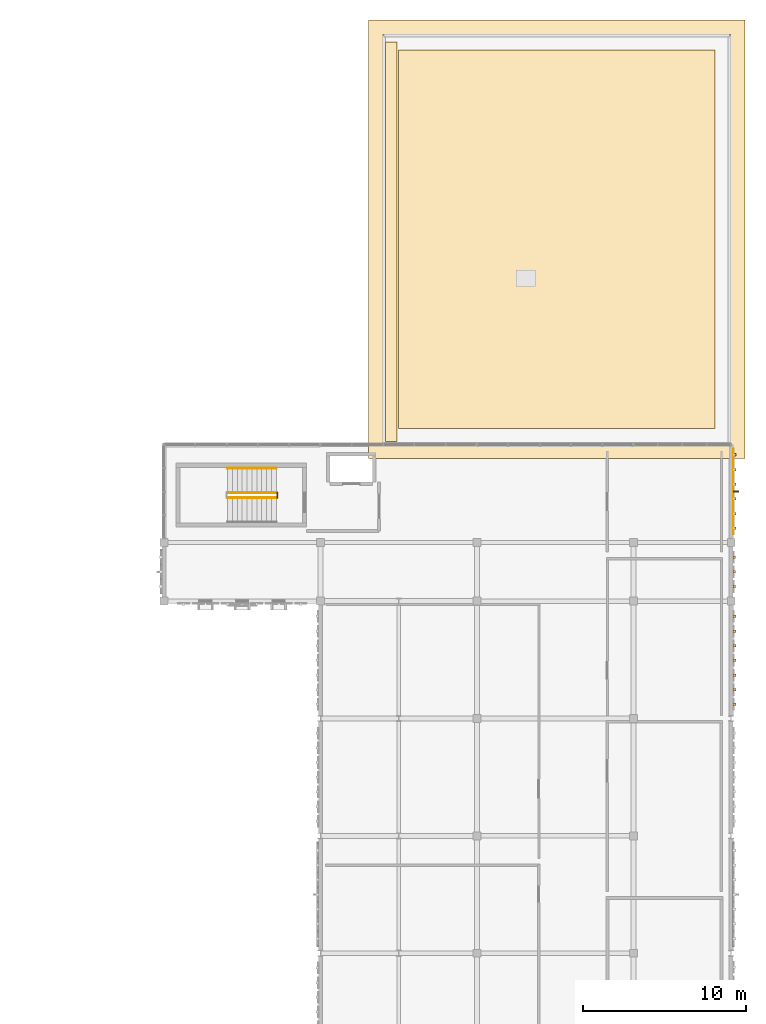
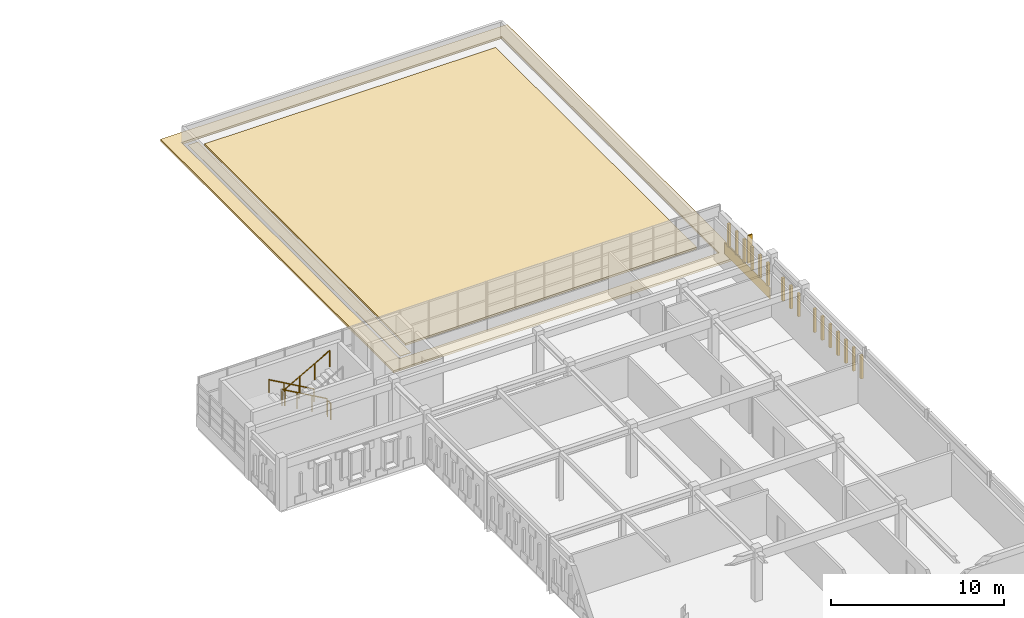
# One storey, part 48 of 53: 20 coverings, 4 railings, 1 shading device.
"""IFC4 building model written with IfcOpenShell, lengths in metres."""

from ifc_helpers import new_model, si_unit, direction, frame, origin, origin_2d, place, context, subcontext, project, spatial, polyline, rectangle, circle, outline, extrude, material, layer, layer_set, type_object, element, save


model = new_model("IFC4")

# Units and contexts
model_context = context("Model", 3, precision=1e-05, world=origin(), true_north=direction((0.0, 1.0)))
body_context = subcontext(model_context, "Body", "Model", "MODEL_VIEW")
ifc_project = project(units=[si_unit("LENGTHUNIT", "METRE"), si_unit("AREAUNIT", "SQUARE_METRE"), si_unit("VOLUMEUNIT", "CUBIC_METRE"), si_unit("PLANEANGLEUNIT", "RADIAN"), si_unit("MASSUNIT", "GRAM", prefix="KILO")], contexts=[model_context])

# Site, building, storey
site_placement = place(None, origin())
site = spatial("IfcSite", under=ifc_project, at=site_placement, CompositionType="ELEMENT")
building_placement = place(site_placement, origin())
building = spatial("IfcBuilding", under=site, at=building_placement, Name="Nzembalo Square Collegiate School", CompositionType="ELEMENT")
storey_placement = place(building_placement, frame((0.0, 0.0, 13.60009765625)))
storey = spatial("IfcBuildingStorey", under=building, at=storey_placement, Name="L03", CompositionType="ELEMENT", Elevation=13.60009765625)

# Coverings
ifc_material_1 = material(Name="Glazed cobalt ceramic patterned tile")
ifc_layer_1 = layer(ifc_material_1, 0.074951171875, Name="Glazed cobalt ceramic patterned tile")
ifc_layer_set_1 = layer_set([ifc_layer_1], Name="Glazed cobalt ceramic patterned tile")
covering_type_1 = type_object("IfcCoveringType", Name="CL01", PredefinedType="CLADDING", material=ifc_layer_set_1)
covering_1_placement = place(storey_placement, frame((165.74755859375, 85.9208984375, 0.02001953125), z_axis=(0.0, 0.0, 1.0), x_axis=(1.0, 0.0, 0.0)))
element("IfcCovering", 1, at=covering_1_placement, inside=storey, type_object=covering_type_1, Name="Faience spandrel cladding CL01-0216", PredefinedType="CLADDING", context=body_context, shape_type="SweptSolid", body=[
    extrude(rectangle(XDim=0.034912109375, YDim=5.258056640625, at=origin_2d()), origin(), (0.0, 0.0, 1.0), 0.800048828125),
])
ifc_material_2 = material(Name="Glazed ochre ceramic lancet rib")
ifc_layer_2 = layer(ifc_material_2, 0.159912109375, Name="Glazed ochre ceramic lancet rib")
ifc_layer_set_2 = layer_set([ifc_layer_2], Name="Glazed ochre ceramic lancet rib")
covering_type_2 = type_object("IfcCoveringType", Name="CL02", PredefinedType="CLADDING", material=ifc_layer_set_2)
for number, where, z_axis, x_axis, name in (
    (2, (165.802490234375, 72.864990234375, 0.760009765625), (0.0, 0.0, 1.0), (1.0, 0.0, 0.0), "Gothic ceramic rib CL02-Y0214-0"),
    (3, (165.802490234375, 73.764892578125, 0.760009765625), (0.0, 0.0, 1.0), (1.0, 0.0, 0.0), "Gothic ceramic rib CL02-Y0214-1"),
    (4, (165.802490234375, 74.6650390625, 0.760009765625), (0.0, 0.0, 1.0), (1.0, 0.0, 0.0), "Gothic ceramic rib CL02-Y0214-2"),
    (5, (165.802490234375, 75.56494140625, 0.760009765625), (0.0, 0.0, 1.0), (1.0, 0.0, 0.0), "Gothic ceramic rib CL02-Y0214-3"),
    (6, (165.802490234375, 76.465087890625, 0.760009765625), (0.0, 0.0, 1.0), (1.0, 0.0, 0.0), "Gothic ceramic rib CL02-Y0214-4"),
    (7, (165.802490234375, 77.364990234375, 0.760009765625), (0.0, 0.0, 1.0), (1.0, 0.0, 0.0), "Gothic ceramic rib CL02-Y0214-5"),
    (8, (165.802490234375, 78.264892578125, 0.760009765625), (0.0, 0.0, 1.0), (1.0, 0.0, 0.0), "Gothic ceramic rib CL02-Y0214-6"),
):
    element("IfcCovering", number, at=place(storey_placement, frame(where, z_axis=z_axis, x_axis=x_axis)), inside=storey, type_object=covering_type_2, Name=name, PredefinedType="CLADDING", context=body_context, shape_type="SweptSolid", body=[
        extrude(rectangle(XDim=0.159912109375, YDim=0.159912109375, at=origin_2d()), origin(), (0.0, 0.0, 1.0), 1.64892578125),
    ])
for number, where, z_axis, x_axis, name in (
    (9, (165.79248046875, 80.10009765625, 0.759765625), (0.0, 0.0, 1.0), (1.0, 0.0, 0.0), "Gothic ceramic rib CL02-Y0215-0"),
    (10, (165.79248046875, 81.0, 0.759765625), (0.0, 0.0, 1.0), (1.0, 0.0, 0.0), "Gothic ceramic rib CL02-Y0215-1"),
    (11, (165.79248046875, 81.89990234375, 0.759765625), (0.0, 0.0, 1.0), (1.0, 0.0, 0.0), "Gothic ceramic rib CL02-Y0215-2"),
    (12, (165.802490234375, 83.6708984375, 0.759765625), (0.0, 0.0, 1.0), (1.0, 0.0, 0.0), "Gothic ceramic rib CL02-Y0216-0"),
    (13, (165.802490234375, 84.571044921875, 0.759765625), (0.0, 0.0, 1.0), (1.0, 0.0, 0.0), "Gothic ceramic rib CL02-Y0216-1"),
    (14, (165.802490234375, 85.470947265625, 0.759765625), (0.0, 0.0, 1.0), (1.0, 0.0, 0.0), "Gothic ceramic rib CL02-Y0216-2"),
    (15, (165.802490234375, 86.37109375, 0.759765625), (0.0, 0.0, 1.0), (1.0, 0.0, 0.0), "Gothic ceramic rib CL02-Y0216-3"),
    (16, (165.802490234375, 87.27099609375, 0.759765625), (0.0, 0.0, 1.0), (1.0, 0.0, 0.0), "Gothic ceramic rib CL02-Y0216-4"),
    (17, (165.802490234375, 88.1708984375, 0.759765625), (0.0, 0.0, 1.0), (1.0, 0.0, 0.0), "Gothic ceramic rib CL02-Y0216-5"),
):
    element("IfcCovering", number, at=place(storey_placement, frame(where, z_axis=z_axis, x_axis=x_axis)), inside=storey, type_object=covering_type_2, Name=name, PredefinedType="CLADDING", context=body_context, shape_type="SweptSolid", body=[
        extrude(rectangle(XDim=0.159912109375, YDim=0.159912109375, at=origin_2d()), origin(), (0.0, 0.0, 1.0), 1.618896484375),
    ])
ifc_material_3 = material(Name="Glulam GL28h overhanging eaves cornice", Category="wood")
ifc_layer_3 = layer(ifc_material_3, 0.159912109375, Name="Glulam GL28h overhanging eaves cornice")
ifc_layer_set_3 = layer_set([ifc_layer_3], Name="Glulam GL28h overhanging eaves cornice")
covering_type_3 = type_object("IfcCoveringType", Name="EV01", PredefinedType="ROOFING", material=ifc_layer_set_3)
covering_2_placement = place(storey_placement, frame((0.0, 0.0, -0.16015625)))
element("IfcCovering", 18, at=covering_2_placement, inside=storey, type_object=covering_type_3, Name="Projecting tropical roof eaves cornice EV01-03", PredefinedType="ROOFING", context=body_context, shape_type="SweptSolid", body=[
    extrude(outline(polyline([(143.35009765625, 87.949951171875), (166.449951171875, 87.949951171875), (166.449951171875, 114.85009765625), (143.35009765625, 114.85009765625), (143.35009765625, 87.949951171875)]), holes=[polyline([(144.25, 88.85009765625), (165.550048828125, 88.85009765625), (165.550048828125, 113.949951171875), (144.25, 113.949951171875), (144.25, 88.85009765625)])]), origin(), (0.0, 0.0, 1.0), 0.150146484375),
])
ifc_material_4 = material(Name="Planted extensive green roof substrate")
ifc_layer_4 = layer(ifc_material_4, 0.139892578125, Name="Planted extensive green roof substrate")
ifc_layer_set_4 = layer_set([ifc_layer_4], Name="Planted extensive green roof substrate")
covering_type_4 = type_object("IfcCoveringType", Name="GR01", PredefinedType="ROOFING", material=ifc_layer_set_4)
covering_3_placement = place(storey_placement, origin())
element("IfcCovering", 19, at=covering_3_placement, inside=storey, type_object=covering_type_4, Name="Planted green roof bed GR01-05", PredefinedType="ROOFING", context=body_context, shape_type="SweptSolid", body=[
    extrude(outline(polyline([(145.199951171875, 89.800048828125), (164.60009765625, 89.800048828125), (164.60009765625, 113.0), (145.199951171875, 113.0), (145.199951171875, 89.800048828125)])), origin(), (0.0, 0.0, 1.0), 0.139892578125),
])
ifc_material_5 = material(Name="Reflective TPO weatherproofing membrane")
ifc_layer_5 = layer(ifc_material_5, 0.02490234375, Name="Reflective TPO weatherproofing membrane")
ifc_layer_set_5 = layer_set([ifc_layer_5], Name="Reflective TPO weatherproofing membrane")
covering_type_5 = type_object("IfcCoveringType", Name="RF01", PredefinedType="ROOFING", material=ifc_layer_set_5)
covering_4_placement = place(storey_placement, origin())
element("IfcCovering", 20, at=covering_4_placement, inside=storey, type_object=covering_type_5, Name="Roof waterproofing membrane RF01-04", PredefinedType="ROOFING", context=body_context, shape_type="SweptSolid", body=[
    extrude(outline(polyline([(144.39990234375, 89.0), (145.10009765625, 89.0), (145.10009765625, 113.5), (144.39990234375, 113.5), (144.39990234375, 89.0)])), origin(), (0.0, 0.0, 1.0), 0.02490234375),
])

# Railings
ifc_material_6 = material(Name="Steel S355", Category="steel")
railing_type_1 = type_object("IfcRailingType", Name="GR01", PredefinedType="GUARDRAIL", material=ifc_material_6)
railing_1_placement = place(storey_placement, frame((137.699951171875, 85.85009765625, 0.159912109375)))
element("IfcRailing", 21, at=railing_1_placement, inside=storey, type_object=railing_type_1, Name="Stair guard GR-16-1", PredefinedType="GUARDRAIL", context=body_context, shape_type="SweptSolid", body=[
    extrude(circle(Radius=0.02392578125, at=origin_2d()), frame((0.0, 0.0, 1.1259765625), z_axis=(-0.870028259722, 0.0, 0.493001853226), x_axis=(0.0, -1.0, 0.0)), (0.0, 0.0, 1.0), 3.4482421875),
    extrude(circle(Radius=0.02099609375, at=origin_2d()), origin(), (0.0, 0.0, 1.0), 1.101806640625),
    extrude(circle(Radius=0.02099609375, at=origin_2d()), frame((-1.0, 0.0, 0.566650390625)), (0.0, 0.0, 1.0), 1.101806640625),
    extrude(circle(Radius=0.02099609375, at=origin_2d()), frame((-2.0, 0.0, 1.13330078125)), (0.0, 0.0, 1.0), 1.101806640625),
    extrude(circle(Radius=0.02099609375, at=origin_2d()), frame((-3.0, 0.0, 1.699951171875)), (0.0, 0.0, 1.0), 1.101806640625),
])
railing_2_placement = place(storey_placement, frame((134.699951171875, 85.550048828125, 2.02978515625)))
element("IfcRailing", 22, at=railing_2_placement, inside=storey, type_object=railing_type_1, Name="Stair guard GR-16-3", PredefinedType="GUARDRAIL", context=body_context, shape_type="SweptSolid", body=[
    extrude(circle(Radius=0.02392578125, at=origin_2d()), frame((0.0, 0.0, 1.1259765625), z_axis=(0.869997889882, 0.0, 0.493055444754), x_axis=(0.0, 1.0, 0.0)), (0.0, 0.0, 1.0), 3.4482421875),
    extrude(circle(Radius=0.02099609375, at=origin_2d()), origin(), (0.0, 0.0, 1.0), 1.101806640625),
    extrude(circle(Radius=0.02099609375, at=origin_2d()), frame((1.0, 0.0, 0.566650390625)), (0.0, 0.0, 1.0), 1.101806640625),
    extrude(circle(Radius=0.02099609375, at=origin_2d()), frame((2.0, 0.0, 1.133544921875)), (0.0, 0.0, 1.0), 1.101806640625),
    extrude(circle(Radius=0.02099609375, at=origin_2d()), frame((3.0, 0.0, 1.7001953125)), (0.0, 0.0, 1.0), 1.101806640625),
])
railing_3_placement = place(storey_placement, frame((137.75, 85.52001953125, -0.005126953125)))
element("IfcRailing", 23, at=railing_3_placement, inside=storey, type_object=railing_type_1, Name="Stair guard GR-16-4", PredefinedType="GUARDRAIL", context=body_context, shape_type="SweptSolid", body=[
    extrude(circle(Radius=0.02392578125, at=origin_2d()), frame((0.0, 0.0, 1.1259765625), z_axis=(0.0, 1.0, 0.0), x_axis=(-1.0, 0.0, 0.0)), (0.0, 0.0, 1.0), 0.35986328125),
    extrude(circle(Radius=0.02099609375, at=origin_2d()), origin(), (0.0, 0.0, 1.0), 1.101806640625),
    extrude(circle(Radius=0.02099609375, at=origin_2d()), frame((0.0, 0.35986328125, 0.0)), (0.0, 0.0, 1.0), 1.101806640625),
])
ifc_material_7 = material(Name="Steel S355", Category="steel")
railing_type_2 = type_object("IfcRailingType", Name="HR01", PredefinedType="HANDRAIL", material=ifc_material_7)
railing_4_placement = place(storey_placement, frame((137.699951171875, 87.35009765625, 0.159912109375)))
element("IfcRailing", 24, at=railing_4_placement, inside=storey, type_object=railing_type_2, Name="Stair handrail HR-16-1", PredefinedType="HANDRAIL", context=body_context, shape_type="SweptSolid", body=[
    extrude(circle(Radius=0.02392578125, at=origin_2d()), frame((0.0, 0.0, 0.89599609375), z_axis=(-0.870028259722, 0.0, 0.493001853226), x_axis=(0.0, -1.0, 0.0)), (0.0, 0.0, 1.0), 3.4482421875),
    extrude(circle(Radius=0.02099609375, at=origin_2d()), origin(), (0.0, 0.0, 1.0), 0.871826171875),
    extrude(circle(Radius=0.02099609375, at=origin_2d()), frame((-1.0, 0.0, 0.566650390625)), (0.0, 0.0, 1.0), 0.871826171875),
    extrude(circle(Radius=0.02099609375, at=origin_2d()), frame((-2.0, 0.0, 1.13330078125)), (0.0, 0.0, 1.0), 0.871826171875),
    extrude(circle(Radius=0.02099609375, at=origin_2d()), frame((-3.0, 0.0, 1.699951171875)), (0.0, 0.0, 1.0), 0.871826171875),
])

# Shading device
ifc_material_8 = material(Name="Glazed ochre ceramic vertical fin")
shading_device_type = type_object("IfcShadingDeviceType", Name="JL01", PredefinedType="JALOUSIE", material=ifc_material_8)
shading_device_placement = place(storey_placement, frame((165.887451171875, 85.9208984375, 0.94970703125), z_axis=(0.0, 0.0, 1.0), x_axis=(1.0, 0.0, 0.0)))
element("IfcShadingDevice", 25, at=shading_device_placement, inside=storey, type_object=shading_device_type, Name="Ceramic fin JL01-0216", PredefinedType="JALOUSIE", context=body_context, shape_type="SweptSolid", body=[
    extrude(rectangle(XDim=0.320068359375, YDim=0.090087890625, at=origin_2d()), origin(), (0.0, 0.0, 1.0), 1.968994140625),
])

save(model, "model.ifc")
